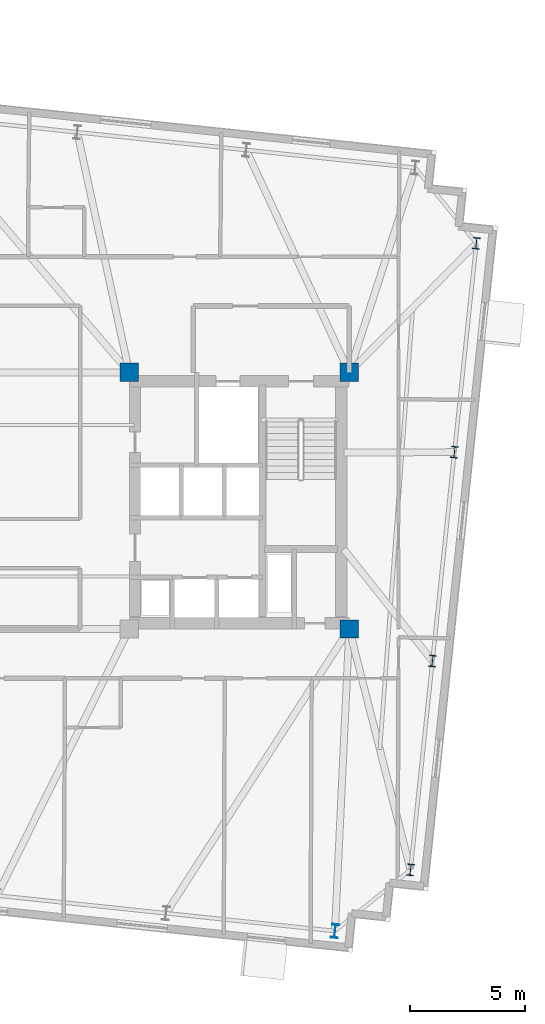
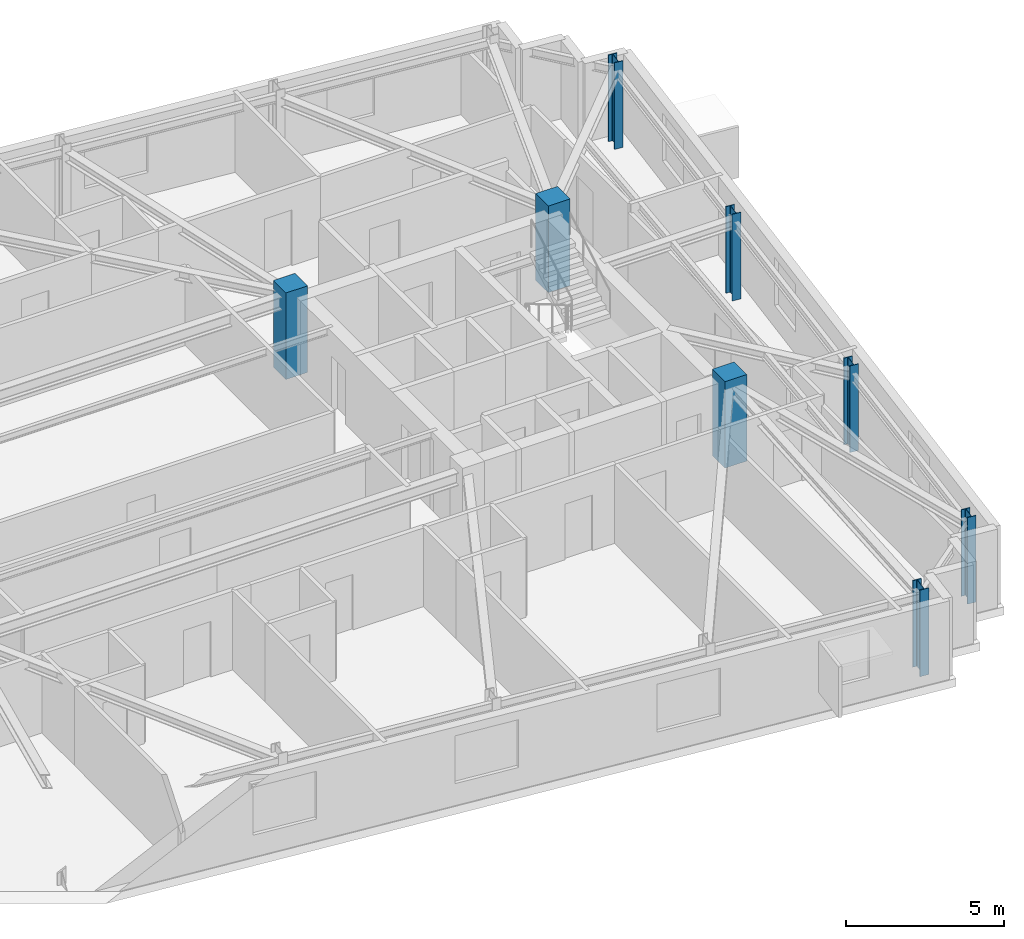
# One storey, part 2 of 11: 8 columns.
"""IFC4 building model written with IfcOpenShell, lengths in metres."""

from ifc_helpers import new_model, si_unit, direction, frame, origin, origin_2d, place, context, subcontext, project, spatial, rectangle, i_section, extrude, material, material_profile, profile_set, type_object, element, save


model = new_model("IFC4")

# Units and contexts
model_context = context("Model", 3, precision=1e-05, world=origin(), true_north=direction((0.0, 1.0)))
body_context = subcontext(model_context, "Body", "Model", "MODEL_VIEW")
ifc_project = project(units=[si_unit("LENGTHUNIT", "METRE"), si_unit("AREAUNIT", "SQUARE_METRE"), si_unit("VOLUMEUNIT", "CUBIC_METRE"), si_unit("PLANEANGLEUNIT", "RADIAN"), si_unit("MASSUNIT", "GRAM", prefix="KILO")], contexts=[model_context])

# Site, building, storey
site_placement = place(None, origin())
site = spatial("IfcSite", under=ifc_project, at=site_placement, CompositionType="ELEMENT")
building_placement = place(site_placement, origin())
building = spatial("IfcBuilding", under=site, at=building_placement, Name="Qobustan Lattice House", CompositionType="ELEMENT")
storey_placement = place(building_placement, frame((0.0, 0.0, 206.449951171875)))
storey = spatial("IfcBuildingStorey", under=building, at=storey_placement, Name="L58", CompositionType="ELEMENT", Elevation=206.449951171875)

# Columns
ifc_material_1 = material(Name="Concrete C50/60", Category="concrete")
ifc_material_profile_1 = material_profile(ifc_material_1, rectangle(XDim=0.800048828125, YDim=0.800048828125, at=origin_2d()), Name="RC800x800")
ifc_profile_set_1 = profile_set([ifc_material_profile_1], Name="Concrete C50/60")
column_type_1 = type_object("IfcColumnType", Name="COL-RC-800", PredefinedType="COLUMN", material=ifc_profile_set_1)
for number, where, z_axis, x_axis, name in (
    (1, (9.199951171875, 5.60009765625, 0.0), (0.0, 0.0, 1.0), (1.0, 0.0, 0.0), "L58 core mega-column CE-NW"),
    (2, (18.800048828125, -5.60009765625, 0.0), (0.0, 0.0, 1.0), (1.0, 0.0, 0.0), "L58 core mega-column CE-SE"),
    (3, (18.800048828125, 5.60009765625, 0.0), (0.0, 0.0, 1.0), (1.0, 0.0, 0.0), "L58 core mega-column CE-NE"),
):
    element("IfcColumn", number, at=place(storey_placement, frame(where, z_axis=z_axis, x_axis=x_axis)), inside=storey, type_object=column_type_1, Name=name, PredefinedType="COLUMN", context=body_context, shape_type="SweptSolid", body=[
        extrude(rectangle(XDim=0.800048828125, YDim=0.800048828125, at=origin_2d()), origin(), (0.0, 0.0, 1.0), 3.35009765625),
    ])
ifc_material_2 = material(Name="Steel S355", Category="steel")
ifc_material_profile_2 = material_profile(ifc_material_2, i_section(OverallWidth=0.300048828125, OverallDepth=0.5, WebThickness=0.014404296875, FlangeThickness=0.028076171875, FilletRadius=0.027099609375, at=origin_2d()), Name="HEB500")
ifc_profile_set_2 = profile_set([ifc_material_profile_2], Name="Steel S355")
column_type_2 = type_object("IfcColumnType", Name="COL-ST-HEB500", PredefinedType="COLUMN", material=ifc_profile_set_2)
for number, where, z_axis, x_axis, name in (
    (4, (21.474365234375, -16.114013671875, 0.0), (0.0, 0.0, 1.0), (0.994521895368, -0.104528463268, 0.0), "L58 B4 perimeter column E1"),
    (5, (22.4326171875, -6.99755859375, 0.0), (0.0, 0.0, 1.0), (0.994521895368, -0.104528463268, 0.0), "L58 B4 perimeter column E2"),
    (6, (23.390869140625, 2.118896484375, 0.0), (0.0, 0.0, 1.0), (0.994521895368, -0.104528463268, 0.0), "L58 B4 perimeter column E3"),
    (7, (24.348876953125, 11.2353515625, 0.0), (0.0, 0.0, 1.0), (0.994521895368, -0.104528463268, 0.0), "L58 B4 perimeter column E4"),
):
    element("IfcColumn", number, at=place(storey_placement, frame(where, z_axis=z_axis, x_axis=x_axis)), inside=storey, type_object=column_type_2, Name=name, PredefinedType="COLUMN", context=body_context, shape_type="SweptSolid", body=[
        extrude(i_section(OverallWidth=0.300048828125, OverallDepth=0.5, WebThickness=0.014404296875, FlangeThickness=0.028076171875, FilletRadius=0.027099609375, at=origin_2d()), origin(), (0.0, 0.0, 1.0), 3.35009765625),
    ])
ifc_material_3 = material(Name="Steel S355", Category="steel")
ifc_material_profile_3 = material_profile(ifc_material_3, i_section(OverallWidth=0.300048828125, OverallDepth=0.60009765625, WebThickness=0.015380859375, FlangeThickness=0.030029296875, FilletRadius=0.027099609375, at=origin_2d()), Name="HEB600")
ifc_profile_set_3 = profile_set([ifc_material_profile_3], Name="Steel S355")
column_type_3 = type_object("IfcColumnType", Name="COL-ST-HEB600", PredefinedType="COLUMN", material=ifc_profile_set_3)
column_placement = place(storey_placement, frame((18.17724609375, -18.783935546875, 0.0), z_axis=(0.0, 0.0, 1.0), x_axis=(0.994521895368, -0.104528463268, 0.0)))
element("IfcColumn", 8, at=column_placement, inside=storey, type_object=column_type_3, Name="L58 B4 perimeter column S7", PredefinedType="COLUMN", context=body_context, shape_type="SweptSolid", body=[
    extrude(i_section(OverallWidth=0.300048828125, OverallDepth=0.60009765625, WebThickness=0.015380859375, FlangeThickness=0.030029296875, FilletRadius=0.027099609375, at=origin_2d()), origin(), (0.0, 0.0, 1.0), 3.35009765625),
])

save(model, "model.ifc")
